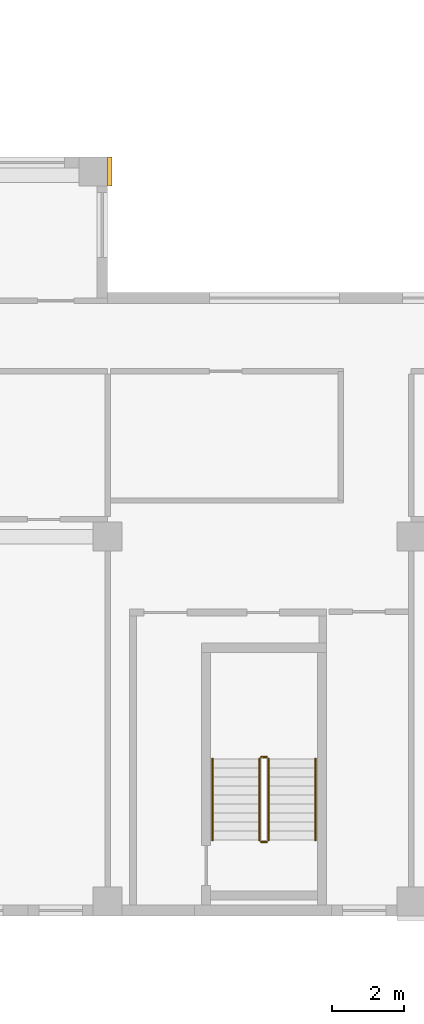
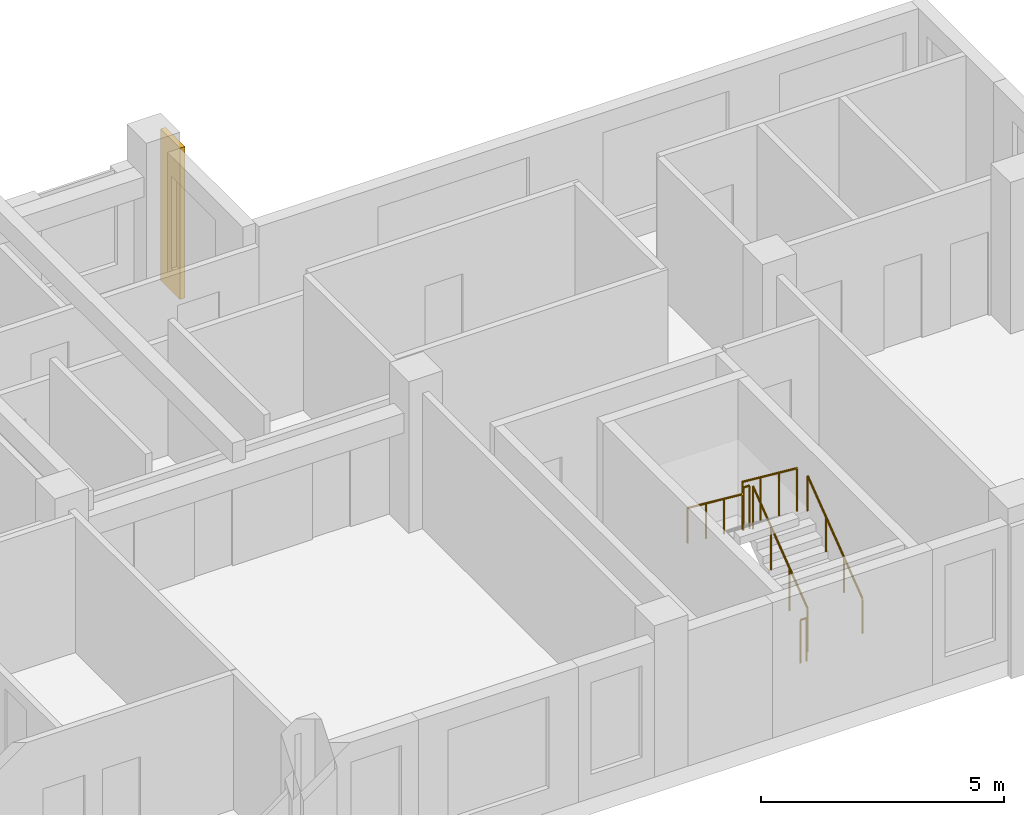
# One storey, part 10 of 11: 6 railings, 1 covering.
"""IFC4 building model written with IfcOpenShell, lengths in metres."""

import ifcopenshell
import ifcopenshell.guid

model = None  # the IFC model being written
_history = None  # IfcOwnerHistory: only IFC2X3 demands one
_inside = {}  # id of a spatial element -> (the spatial element, [elements in it])
_under = {}  # id of a project, library or spatial element -> (it, [spatial elements below it])
_declared = {}  # id of a project -> (the project, [libraries it declares])
_typed = {}  # id of a type object -> (the type object, [elements of that type])
_made_of = {}  # id of a material, layer set ... -> (it, [elements and type objects made of it])


def new_model(schema):
    """Start an empty IFC model of exactly this schema.

    Asked for "IFC4X3", IfcOpenShell would pick the latest addendum, in which some entities
    have other attributes; the version numbers below select the first issue.
    IFC2X3 requires an IfcOwnerHistory on every rooted entity: one is made here for all.
    """
    global model, _history
    if schema == "IFC4X3":
        model = ifcopenshell.file(schema_version=(4, 3, 0, 0))
    else:
        model = ifcopenshell.file(schema=schema)
    _inside.clear()
    _under.clear()
    _declared.clear()
    _typed.clear()
    _made_of.clear()
    _history = None
    if model.schema == "IFC2X3":
        org = make("IfcOrganization", Name="unknown")
        user = make(
            "IfcPersonAndOrganization",
            ThePerson=make("IfcPerson", FamilyName="unknown"),
            TheOrganization=org,
        )
        app = make(
            "IfcApplication",
            ApplicationDeveloper=org,
            Version="unknown",
            ApplicationFullName="unknown",
            ApplicationIdentifier="unknown",
        )
        _history = make(
            "IfcOwnerHistory",
            OwningUser=user,
            OwningApplication=app,
            ChangeAction="ADDED",
            CreationDate=0,
        )
    return model


def make(cls, **values):
    """One entity of the class cls with the attributes given. An attribute that is None is left unset."""
    return model.create_entity(
        cls, **{name: value for name, value in values.items() if value is not None}
    )


def rooted(cls, **values):
    """An entity with a GlobalId (a new one), such as an element, a storey or a relation."""
    return make(cls, GlobalId=ifcopenshell.guid.new(), OwnerHistory=_history, **values)


def si_unit(unit_type, name, prefix=None):
    """IfcSIUnit, for example si_unit("LENGTHUNIT", "METRE", prefix="MILLI")."""
    return make("IfcSIUnit", UnitType=unit_type, Prefix=prefix, Name=name)


def assignment(units):
    """IfcUnitAssignment: the units of a project."""
    return None if units is None else make("IfcUnitAssignment", Units=units)


def point(xyz):
    """IfcCartesianPoint."""
    return None if xyz is None else make("IfcCartesianPoint", Coordinates=xyz)


def direction(xyz):
    """IfcDirection."""
    return None if xyz is None else make("IfcDirection", DirectionRatios=xyz)


def frame(location, z_axis=None, x_axis=None):
    """IfcAxis2Placement3D, a coordinate frame: its origin and axes. An axis left out is left unset."""
    return make(
        "IfcAxis2Placement3D",
        Location=point(location),
        Axis=direction(z_axis),
        RefDirection=direction(x_axis),
    )


def frame_2d(location, x_axis=None):
    """IfcAxis2Placement2D, a coordinate frame in the plane: its origin and x axis."""
    return make(
        "IfcAxis2Placement2D", Location=point(location), RefDirection=direction(x_axis)
    )


def origin():
    """The frame at (0, 0, 0) with its axes left unset."""
    return frame((0.0, 0.0, 0.0))


def origin_2d():
    """The frame at (0, 0) in the plane with its x axis left unset."""
    return frame_2d((0.0, 0.0))


def place(relative_to, where):
    """IfcLocalPlacement: puts the frame where relative to a parent placement (None: the world)."""
    return make(
        "IfcLocalPlacement", PlacementRelTo=relative_to, RelativePlacement=where
    )


def context(
    kind, dimensions, precision=None, world=None, true_north=None, identifier=None
):
    """IfcGeometricRepresentationContext, for example the 3D "Model" context."""
    return make(
        "IfcGeometricRepresentationContext",
        ContextIdentifier=identifier,
        ContextType=kind,
        CoordinateSpaceDimension=dimensions,
        Precision=precision,
        WorldCoordinateSystem=world,
        TrueNorth=true_north,
    )


def subcontext(parent, identifier, kind, view, scale=None):
    """IfcGeometricRepresentationSubContext, for example "Body" below "Model"."""
    return make(
        "IfcGeometricRepresentationSubContext",
        ContextIdentifier=identifier,
        ContextType=kind,
        ParentContext=parent,
        TargetScale=scale,
        TargetView=view,
    )


def project(units=None, contexts=None):
    """IfcProject with its units and contexts."""
    return rooted(
        "IfcProject",
        Name="project",
        RepresentationContexts=contexts,
        UnitsInContext=assignment(units),
    )


def spatial(cls, under=None, at=None, **own):
    """A site, building, storey or space (cls), placed at a placement, below another one or the project."""
    s = rooted(cls, ObjectPlacement=at, **own)
    if under is not None:
        _under.setdefault(under.id(), (under, []))[1].append(s)
    return s


def profile(cls, at=None, kind="AREA", **sizes):
    """A parametric profile (cls). Its sizes go by their IFC names, for example OverallWidth=200.0."""
    return make(cls, ProfileType=kind, Position=at, **sizes)


def rectangle(**sizes):
    """IfcRectangleProfileDef."""
    return profile("IfcRectangleProfileDef", **sizes)


def circle(**sizes):
    """IfcCircleProfileDef."""
    return profile("IfcCircleProfileDef", **sizes)


def extrude(swept, where, along, depth):
    """IfcExtrudedAreaSolid: the profile swept, set in the frame where, extruded along a direction by depth."""
    return make(
        "IfcExtrudedAreaSolid",
        SweptArea=swept,
        Position=where,
        ExtrudedDirection=direction(along),
        Depth=depth,
    )


def shape(context_of_items, identifier, shape_type, items):
    """IfcShapeRepresentation: the items that make up one representation, for example the "Body"."""
    return make(
        "IfcShapeRepresentation",
        ContextOfItems=context_of_items,
        RepresentationIdentifier=identifier,
        RepresentationType=shape_type,
        Items=items,
    )


def source(mapping_origin, context_of_items, identifier, shape_type, items):
    """IfcRepresentationMap: a shape defined once, which mapped items show again and again."""
    return make(
        "IfcRepresentationMap",
        MappingOrigin=mapping_origin,
        MappedRepresentation=shape(context_of_items, identifier, shape_type, items),
    )


def transform(
    local_origin,
    x_axis=None,
    y_axis=None,
    z_axis=None,
    scale=None,
    scale2=None,
    scale3=None,
    uniform=True,
):
    """IfcCartesianTransformationOperator3D, or its non-uniform kind. x_axis, y_axis, z_axis: its Axis1, 2, 3."""
    if uniform:
        return make(
            "IfcCartesianTransformationOperator3D",
            Axis1=direction(x_axis),
            Axis2=direction(y_axis),
            LocalOrigin=point(local_origin),
            Scale=scale,
            Axis3=direction(z_axis),
        )
    return make(
        "IfcCartesianTransformationOperator3DnonUniform",
        Axis1=direction(x_axis),
        Axis2=direction(y_axis),
        LocalOrigin=point(local_origin),
        Scale=scale,
        Axis3=direction(z_axis),
        Scale2=scale2,
        Scale3=scale3,
    )


def mapped(mapping_source, mapping_target):
    """IfcMappedItem: shows the shape of a source again, moved by a transform."""
    return make(
        "IfcMappedItem", MappingSource=mapping_source, MappingTarget=mapping_target
    )


def material(Name=None, Category=None):
    """IfcMaterial."""
    return make("IfcMaterial", Name=Name, Category=Category)


def made_of(thing, what):
    """Note that an element or type object is made of a material, layer set ...; save() writes the relation."""
    if what is not None:
        _made_of.setdefault(what.id(), (what, []))[1].append(thing)
    return thing


def type_object(cls, material=None, **own):
    """A type object (cls), such as IfcWallType, which elements share."""
    return made_of(rooted(cls, **own), material)


def element(
    cls,
    number,
    at=None,
    inside=None,
    cuts=None,
    type_object=None,
    material=None,
    context=None,
    identifier="Body",
    shape_type=None,
    held_by="IfcProductDefinitionShape",
    body=None,
    shapes=None,
    **own,
):
    """One element of the class cls, such as IfcWall. Its Tag is "e" and its number.

    at: its placement. inside: the storey or other place that contains it. cuts: it is an
    opening in that element (IfcRelVoidsElement). A single representation is given by context,
    identifier, shape_type and body (its items); several are given by shapes. held_by: the class
    of the entity that holds the representations. save() writes the other relations.
    """
    e = rooted(cls, Tag="e%d" % number, ObjectPlacement=at, **own)
    if body is not None:
        shapes = [shape(context, identifier, shape_type, body)]
    if shapes is not None:
        e.Representation = make(held_by, Representations=shapes)
    if inside is not None:
        _inside.setdefault(inside.id(), (inside, []))[1].append(e)
    if cuts is not None:
        rooted(
            "IfcRelVoidsElement", RelatingBuildingElement=cuts, RelatedOpeningElement=e
        )
    if type_object is not None:
        _typed.setdefault(type_object.id(), (type_object, []))[1].append(e)
    return made_of(e, material)


def aggregate(whole, parts):
    """IfcRelAggregates: a whole, such as a stair, and the parts it consists of."""
    return rooted("IfcRelAggregates", RelatingObject=whole, RelatedObjects=parts)


def save(model, path):
    """Write the relations noted so far, then the file.

    IfcRelAggregates (storeys below a building ...), IfcRelContainedInSpatialStructure (elements
    in a storey), IfcRelDefinesByType, IfcRelAssociatesMaterial and IfcRelDeclares: one each for
    every whole, place, type object, material and project.
    """
    for whole, parts in _under.values():
        aggregate(whole, parts)
    for where, things in _inside.values():
        rooted(
            "IfcRelContainedInSpatialStructure",
            RelatedElements=things,
            RelatingStructure=where,
        )
    for kind, things in _typed.values():
        rooted("IfcRelDefinesByType", RelatedObjects=things, RelatingType=kind)
    for what, things in _made_of.values():
        rooted("IfcRelAssociatesMaterial", RelatedObjects=things, RelatingMaterial=what)
    for by, libraries in _declared.values():
        rooted("IfcRelDeclares", RelatingContext=by, RelatedDefinitions=libraries)
    model.write(path)


model = new_model("IFC4")

# Units and contexts
model_context = context("Model", 3, precision=1e-05, world=origin(), true_north=direction((0.0, 1.0)))
body_context = subcontext(model_context, "Body", "Model", "MODEL_VIEW")
ifc_project = project(units=[si_unit("LENGTHUNIT", "METRE"), si_unit("AREAUNIT", "SQUARE_METRE"), si_unit("VOLUMEUNIT", "CUBIC_METRE"), si_unit("PLANEANGLEUNIT", "RADIAN"), si_unit("MASSUNIT", "GRAM", prefix="KILO")], contexts=[model_context])

# Site, building, storey
site_placement = place(None, origin())
site = spatial("IfcSite", under=ifc_project, at=site_placement, CompositionType="ELEMENT")
building_placement = place(site_placement, origin())
building = spatial("IfcBuilding", under=site, at=building_placement, Name="Aurelian Terraces", CompositionType="ELEMENT")
storey_placement = place(building_placement, frame((0.0, 0.0, 250.0)))
storey = spatial("IfcBuildingStorey", under=building, at=storey_placement, Name="L57", CompositionType="ELEMENT", Elevation=250.0)

# Covering
ifc_material_1 = material(Name="Terracotta rainscreen cladding relief", Category="masonry")
covering_type = type_object("IfcCoveringType", Name="BAGUETTE-TC", PredefinedType="CLADDING", material=ifc_material_1)
shared_shape_1 = source(origin(), body_context, "Body", "SweptSolid", [
    extrude(rectangle(XDim=0.12, YDim=0.8, at=origin_2d()), origin(), (0.0, 0.0, 1.0), 3.8),
])
covering_placement = place(storey_placement, frame((37.86, 20.6, -0.4), z_axis=(0.0, 0.0, 1.0), x_axis=(1.0, 0.0, 0.0)))
element("IfcCovering", 1, at=covering_placement, inside=storey, type_object=covering_type, Name="BAGUETTE pier L57 5", PredefinedType="CLADDING", context=body_context, shape_type="MappedRepresentation", body=[
    mapped(shared_shape_1, transform((0.0, 0.0, 0.0), scale=1.0)),
])

# Railings
ifc_material_2 = material(Name="Stainless steel", Category="steel")
railing_type_1 = type_object("IfcRailingType", Name="Stair guard 1100", PredefinedType="GUARDRAIL", material=ifc_material_2)
shared_shape_2 = source(origin(), body_context, "Body", "SweptSolid", [
    extrude(circle(Radius=0.024, at=origin_2d()), frame((0.0, 0.0, 1.076), z_axis=(-1.0, 0.0, 0.0), x_axis=(0.0, -1.0, 0.0)), (0.0, 0.0, 1.0), 0.15),
    extrude(circle(Radius=0.021, at=origin_2d()), origin(), (0.0, 0.0, 1.0), 1.052),
    extrude(circle(Radius=0.021, at=origin_2d()), frame((-0.15, 0.0, 0.0)), (0.0, 0.0, 1.0), 1.052),
])
for number, where, name in (
    (2, (42.2, 4.4, 1.9), "L57 S2 stair guard 2"),
    (3, (42.2, 2.05, 0.0), "L57 S2 stair guard 4"),
):
    element("IfcRailing", number, at=place(storey_placement, frame(where)), inside=storey, type_object=railing_type_1, Name=name, PredefinedType="GUARDRAIL", context=body_context, shape_type="MappedRepresentation", body=[
        mapped(shared_shape_2, transform((0.0, 0.0, 0.0), scale=1.0)),
    ])
shared_shape_3 = source(origin(), body_context, "Body", "SweptSolid", [
    extrude(circle(Radius=0.024, at=origin_2d()), frame((0.0, 0.0, 1.076), z_axis=(0.0, 0.796162194123, 0.605083267534), x_axis=(-1.0, 0.0, 0.0)), (0.0, 0.0, 1.0), 2.8261),
    extrude(circle(Radius=0.021, at=origin_2d()), origin(), (0.0, 0.0, 1.0), 1.052),
    extrude(circle(Radius=0.021, at=origin_2d()), frame((0.0, 0.75, 0.57)), (0.0, 0.0, 1.0), 1.052),
    extrude(circle(Radius=0.021, at=origin_2d()), frame((0.0, 1.5, 1.14)), (0.0, 0.0, 1.0), 1.052),
    extrude(circle(Radius=0.021, at=origin_2d()), frame((0.0, 2.25, 1.71)), (0.0, 0.0, 1.0), 1.052),
])
railing_1_placement = place(storey_placement, frame((42.25, 2.1, 0.19)))
element("IfcRailing", 4, at=railing_1_placement, inside=storey, type_object=railing_type_1, Name="L57 S2 stair guard 1", PredefinedType="GUARDRAIL", context=body_context, shape_type="MappedRepresentation", body=[
    mapped(shared_shape_3, transform((0.0, 0.0, 0.0), scale=1.0)),
])
shared_shape_4 = source(origin(), body_context, "Body", "SweptSolid", [
    extrude(circle(Radius=0.024, at=origin_2d()), frame((0.0, 0.0, 1.076), z_axis=(0.0, -0.796162194123, 0.605083267534), x_axis=(1.0, 0.0, 0.0)), (0.0, 0.0, 1.0), 2.8261),
    extrude(circle(Radius=0.021, at=origin_2d()), origin(), (0.0, 0.0, 1.0), 1.052),
    extrude(circle(Radius=0.021, at=origin_2d()), frame((0.0, -0.75, 0.57)), (0.0, 0.0, 1.0), 1.052),
    extrude(circle(Radius=0.021, at=origin_2d()), frame((0.0, -1.5, 1.14)), (0.0, 0.0, 1.0), 1.052),
    extrude(circle(Radius=0.021, at=origin_2d()), frame((0.0, -2.25, 1.71)), (0.0, 0.0, 1.0), 1.052),
])
railing_2_placement = place(storey_placement, frame((42.0, 4.35, 2.09)))
element("IfcRailing", 5, at=railing_2_placement, inside=storey, type_object=railing_type_1, Name="L57 S2 stair guard 3", PredefinedType="GUARDRAIL", context=body_context, shape_type="MappedRepresentation", body=[
    mapped(shared_shape_4, transform((0.0, 0.0, 0.0), scale=1.0)),
])
railing_type_2 = type_object("IfcRailingType", Name="Stair handrail", PredefinedType="HANDRAIL", material=ifc_material_2)
shared_shape_5 = source(origin(), body_context, "Body", "SweptSolid", [
    extrude(circle(Radius=0.024, at=origin_2d()), frame((0.0, 0.0, 0.876), z_axis=(0.0, 0.796162194123, 0.605083267534), x_axis=(-1.0, 0.0, 0.0)), (0.0, 0.0, 1.0), 2.8261),
    extrude(circle(Radius=0.021, at=origin_2d()), origin(), (0.0, 0.0, 1.0), 0.852),
    extrude(circle(Radius=0.021, at=origin_2d()), frame((0.0, 0.75, 0.57)), (0.0, 0.0, 1.0), 0.852),
    extrude(circle(Radius=0.021, at=origin_2d()), frame((0.0, 1.5, 1.14)), (0.0, 0.0, 1.0), 0.852),
    extrude(circle(Radius=0.021, at=origin_2d()), frame((0.0, 2.25, 1.71)), (0.0, 0.0, 1.0), 0.852),
])
railing_3_placement = place(storey_placement, frame((43.55, 2.1, 0.19)))
element("IfcRailing", 6, at=railing_3_placement, inside=storey, type_object=railing_type_2, Name="L57 S2 stair handrail 1", PredefinedType="HANDRAIL", context=body_context, shape_type="MappedRepresentation", body=[
    mapped(shared_shape_5, transform((0.0, 0.0, 0.0), scale=1.0)),
])
shared_shape_6 = source(origin(), body_context, "Body", "SweptSolid", [
    extrude(circle(Radius=0.024, at=origin_2d()), frame((0.0, 0.0, 0.876), z_axis=(0.0, -0.796162194123, 0.605083267534), x_axis=(1.0, 0.0, 0.0)), (0.0, 0.0, 1.0), 2.8261),
    extrude(circle(Radius=0.021, at=origin_2d()), origin(), (0.0, 0.0, 1.0), 0.852),
    extrude(circle(Radius=0.021, at=origin_2d()), frame((0.0, -0.75, 0.57)), (0.0, 0.0, 1.0), 0.852),
    extrude(circle(Radius=0.021, at=origin_2d()), frame((0.0, -1.5, 1.14)), (0.0, 0.0, 1.0), 0.852),
    extrude(circle(Radius=0.021, at=origin_2d()), frame((0.0, -2.25, 1.71)), (0.0, 0.0, 1.0), 0.852),
])
railing_4_placement = place(storey_placement, frame((40.7, 4.35, 2.09)))
element("IfcRailing", 7, at=railing_4_placement, inside=storey, type_object=railing_type_2, Name="L57 S2 stair handrail 2", PredefinedType="HANDRAIL", context=body_context, shape_type="MappedRepresentation", body=[
    mapped(shared_shape_6, transform((0.0, 0.0, 0.0), scale=1.0)),
])

save(model, "model.ifc")
